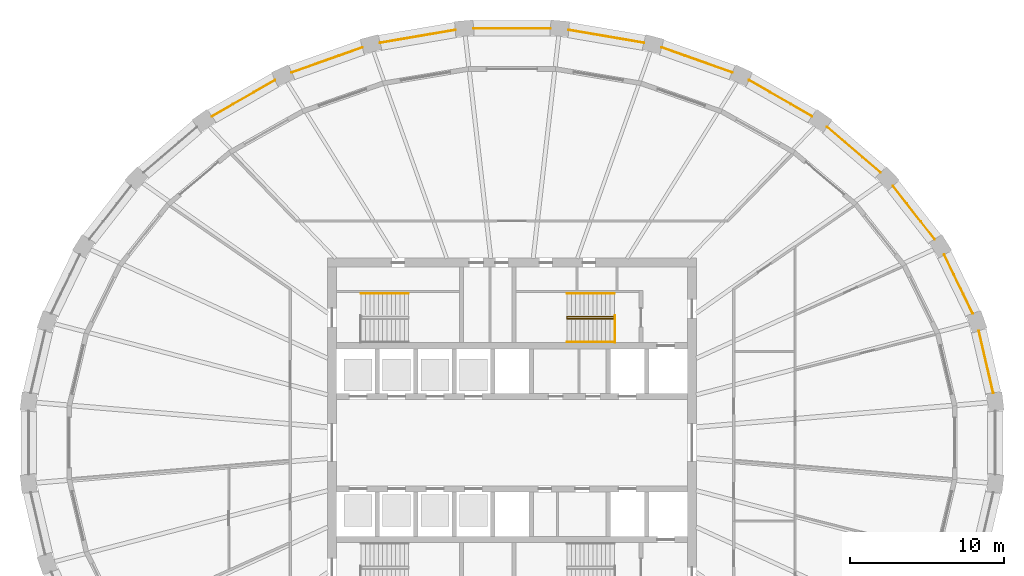
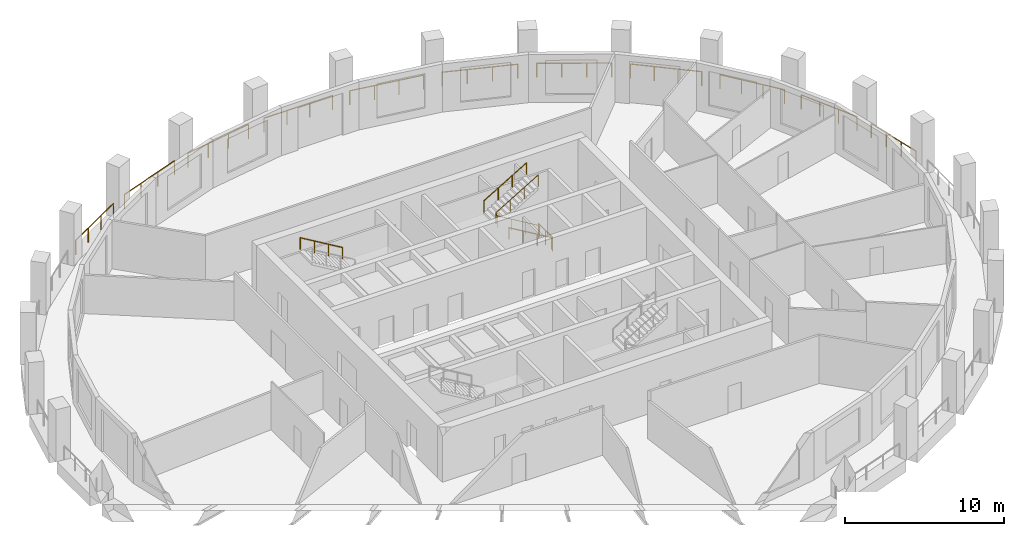
# One storey, part 10 of 11: 16 railings.
"""IFC4 building model written with IfcOpenShell, lengths in metres."""

from ifc_helpers import new_model, si_unit, direction, frame, origin, origin_2d, place, context, subcontext, project, spatial, circle, extrude, material, type_object, element, save


model = new_model("IFC4")

# Units and contexts
model_context = context("Model", 3, precision=1e-05, world=origin(), true_north=direction((0.0, 1.0)))
body_context = subcontext(model_context, "Body", "Model", "MODEL_VIEW")
ifc_project = project(units=[si_unit("LENGTHUNIT", "METRE"), si_unit("AREAUNIT", "SQUARE_METRE"), si_unit("VOLUMEUNIT", "CUBIC_METRE"), si_unit("PLANEANGLEUNIT", "RADIAN"), si_unit("MASSUNIT", "GRAM", prefix="KILO")], contexts=[model_context])

# Site, building, storey
site_placement = place(None, origin())
site = spatial("IfcSite", under=ifc_project, at=site_placement, CompositionType="ELEMENT")
building_placement = place(site_placement, origin())
building = spatial("IfcBuilding", under=site, at=building_placement, Name="Halqa Exchange Tower", CompositionType="ELEMENT")
storey_placement = place(building_placement, frame((0.0, 0.0, 230.89990234375)))
storey = spatial("IfcBuildingStorey", under=building, at=storey_placement, Name="L53", CompositionType="ELEMENT", Elevation=230.89990234375)

# Railings
ifc_material = material(Name="Stainless steel", Category="steel")
railing_type_1 = type_object("IfcRailingType", Name="Guard 1100 stainless steel", PredefinedType="GUARDRAIL", material=ifc_material)
railing_1_placement = place(storey_placement, frame((31.26513671875, 3.2353515625, 0.0)))
element("IfcRailing", 1, at=railing_1_placement, inside=storey, type_object=railing_type_1, Name="Loggia guard 1", PredefinedType="GUARDRAIL", context=body_context, shape_type="SweptSolid", body=[
    extrude(circle(Radius=0.02392578125, at=origin_2d()), frame((0.0, 0.0, 1.076171875), z_axis=(-0.226078724413, 0.974109034127, 0.0), x_axis=(-0.974109034127, -0.226078724413, 0.0)), (0.0, 0.0, 1.0), 4.13818359375),
    extrude(circle(Radius=0.02099609375, at=origin_2d()), origin(), (0.0, 0.0, 1.0), 1.052001953125),
    extrude(circle(Radius=0.02099609375, at=origin_2d()), frame((-0.311767578125, 1.34375, 0.0)), (0.0, 0.0, 1.0), 1.052001953125),
    extrude(circle(Radius=0.02099609375, at=origin_2d()), frame((-0.623779296875, 2.687255859375, 0.0)), (0.0, 0.0, 1.0), 1.052001953125),
    extrude(circle(Radius=0.02099609375, at=origin_2d()), frame((-0.935546875, 4.031005859375, 0.0)), (0.0, 0.0, 1.0), 1.052001953125),
])
railing_2_placement = place(storey_placement, frame((29.932861328125, 8.39111328125, 0.0)))
element("IfcRailing", 2, at=railing_2_placement, inside=storey, type_object=railing_type_1, Name="Loggia guard 2", PredefinedType="GUARDRAIL", context=body_context, shape_type="SweptSolid", body=[
    extrude(circle(Radius=0.02392578125, at=origin_2d()), frame((0.0, 0.0, 1.076171875), z_axis=(-0.435127430079, 0.900368879734, 0.0), x_axis=(-0.900368879734, -0.435127430079, 0.0)), (0.0, 0.0, 1.0), 4.239990234375),
    extrude(circle(Radius=0.02099609375, at=origin_2d()), origin(), (0.0, 0.0, 1.0), 1.052001953125),
    extrude(circle(Radius=0.02099609375, at=origin_2d()), frame((-0.614990234375, 1.2724609375, 0.0)), (0.0, 0.0, 1.0), 1.052001953125),
    extrude(circle(Radius=0.02099609375, at=origin_2d()), frame((-1.22998046875, 2.545166015625, 0.0)), (0.0, 0.0, 1.0), 1.052001953125),
    extrude(circle(Radius=0.02099609375, at=origin_2d()), frame((-1.844970703125, 3.817626953125, 0.0)), (0.0, 0.0, 1.0), 1.052001953125),
])
railing_3_placement = place(storey_placement, frame((27.4580078125, 13.22216796875, 0.0)))
element("IfcRailing", 3, at=railing_3_placement, inside=storey, type_object=railing_type_1, Name="Loggia guard 3", PredefinedType="GUARDRAIL", context=body_context, shape_type="SweptSolid", body=[
    extrude(circle(Radius=0.02392578125, at=origin_2d()), frame((0.0, 0.0, 1.076171875), z_axis=(-0.614775863942, 0.788701868334, 0.0), x_axis=(-0.788701868334, -0.614775863942, 0.0)), (0.0, 0.0, 1.0), 4.389404296875),
    extrude(circle(Radius=0.02099609375, at=origin_2d()), origin(), (0.0, 0.0, 1.0), 1.052001953125),
    extrude(circle(Radius=0.02099609375, at=origin_2d()), frame((-0.8994140625, 1.154052734375, 0.0)), (0.0, 0.0, 1.0), 1.052001953125),
    extrude(circle(Radius=0.02099609375, at=origin_2d()), frame((-1.799072265625, 2.307861328125, 0.0)), (0.0, 0.0, 1.0), 1.052001953125),
    extrude(circle(Radius=0.02099609375, at=origin_2d()), frame((-2.698486328125, 3.4619140625, 0.0)), (0.0, 0.0, 1.0), 1.052001953125),
])
railing_4_placement = place(storey_placement, frame((23.934814453125, 17.547607421875, 0.0)))
element("IfcRailing", 4, at=railing_4_placement, inside=storey, type_object=railing_type_1, Name="Loggia guard 4", PredefinedType="GUARDRAIL", context=body_context, shape_type="SweptSolid", body=[
    extrude(circle(Radius=0.02392578125, at=origin_2d()), frame((0.0, 0.0, 1.076171875), z_axis=(-0.759230149262, 0.65082223414, 0.0), x_axis=(-0.65082223414, -0.759230149262, 0.0)), (0.0, 0.0, 1.0), 4.560302734375),
    extrude(circle(Radius=0.02099609375, at=origin_2d()), origin(), (0.0, 0.0, 1.0), 1.052001953125),
    extrude(circle(Radius=0.02099609375, at=origin_2d()), frame((-1.154052734375, 0.9892578125, 0.0)), (0.0, 0.0, 1.0), 1.052001953125),
    extrude(circle(Radius=0.02099609375, at=origin_2d()), frame((-2.308349609375, 1.978759765625, 0.0)), (0.0, 0.0, 1.0), 1.052001953125),
    extrude(circle(Radius=0.02099609375, at=origin_2d()), frame((-3.46240234375, 2.968017578125, 0.0)), (0.0, 0.0, 1.0), 1.052001953125),
])
railing_5_placement = place(storey_placement, frame((19.49609375, 21.204345703125, 0.0)))
element("IfcRailing", 5, at=railing_5_placement, inside=storey, type_object=railing_type_1, Name="Loggia guard 5", PredefinedType="GUARDRAIL", context=body_context, shape_type="SweptSolid", body=[
    extrude(circle(Radius=0.02392578125, at=origin_2d()), frame((0.0, 0.0, 1.076171875), z_axis=(-0.867753217725, 0.496995325057, 0.0), x_axis=(-0.496995325057, -0.867753217725, 0.0)), (0.0, 0.0, 1.0), 4.7265625),
    extrude(circle(Radius=0.02099609375, at=origin_2d()), origin(), (0.0, 0.0, 1.0), 1.052001953125),
    extrude(circle(Radius=0.02099609375, at=origin_2d()), frame((-1.3671875, 0.782958984375, 0.0)), (0.0, 0.0, 1.0), 1.052001953125),
    extrude(circle(Radius=0.02099609375, at=origin_2d()), frame((-2.734375, 1.566162109375, 0.0)), (0.0, 0.0, 1.0), 1.052001953125),
    extrude(circle(Radius=0.02099609375, at=origin_2d()), frame((-4.1015625, 2.34912109375, 0.0)), (0.0, 0.0, 1.0), 1.052001953125),
])
railing_6_placement = place(storey_placement, frame((14.308349609375, 24.05224609375, 0.0)))
element("IfcRailing", 6, at=railing_6_placement, inside=storey, type_object=railing_type_1, Name="Loggia guard 6", PredefinedType="GUARDRAIL", context=body_context, shape_type="SweptSolid", body=[
    extrude(circle(Radius=0.02392578125, at=origin_2d()), frame((0.0, 0.0, 1.076171875), z_axis=(-0.94236598603, 0.334583843562, 0.0), x_axis=(-0.334583843562, -0.94236598603, 0.0)), (0.0, 0.0, 1.0), 4.864013671875),
    extrude(circle(Radius=0.02099609375, at=origin_2d()), origin(), (0.0, 0.0, 1.0), 1.052001953125),
    extrude(circle(Radius=0.02099609375, at=origin_2d()), frame((-1.52783203125, 0.54248046875, 0.0)), (0.0, 0.0, 1.0), 1.052001953125),
    extrude(circle(Radius=0.02099609375, at=origin_2d()), frame((-3.055908203125, 1.0849609375, 0.0)), (0.0, 0.0, 1.0), 1.052001953125),
    extrude(circle(Radius=0.02099609375, at=origin_2d()), frame((-4.583740234375, 1.62744140625, 0.0)), (0.0, 0.0, 1.0), 1.052001953125),
])
railing_7_placement = place(storey_placement, frame((8.567626953125, 25.9814453125, 0.0)))
element("IfcRailing", 7, at=railing_7_placement, inside=storey, type_object=railing_type_1, Name="Loggia guard 7", PredefinedType="GUARDRAIL", context=body_context, shape_type="SweptSolid", body=[
    extrude(circle(Radius=0.02392578125, at=origin_2d()), frame((0.0, 0.0, 1.076171875), z_axis=(-0.985778469169, 0.16805002149, 0.0), x_axis=(-0.16805002149, -0.985778469169, 0.0)), (0.0, 0.0, 1.0), 4.9541015625),
    extrude(circle(Radius=0.02099609375, at=origin_2d()), origin(), (0.0, 0.0, 1.0), 1.052001953125),
    extrude(circle(Radius=0.02099609375, at=origin_2d()), frame((-1.6279296875, 0.277587890625, 0.0)), (0.0, 0.0, 1.0), 1.052001953125),
    extrude(circle(Radius=0.02099609375, at=origin_2d()), frame((-3.255615234375, 0.554931640625, 0.0)), (0.0, 0.0, 1.0), 1.052001953125),
    extrude(circle(Radius=0.02099609375, at=origin_2d()), frame((-4.883544921875, 0.83251953125, 0.0)), (0.0, 0.0, 1.0), 1.052001953125),
])
railing_8_placement = place(storey_placement, frame((2.49267578125, 26.914794921875, 0.0)))
element("IfcRailing", 8, at=railing_8_placement, inside=storey, type_object=railing_type_1, Name="Loggia guard 8", PredefinedType="GUARDRAIL", context=body_context, shape_type="SweptSolid", body=[
    extrude(circle(Radius=0.02392578125, at=origin_2d()), frame((0.0, 0.0, 1.076171875), z_axis=(-1.0, 0.0, 0.0), x_axis=(0.0, -1.0, 0.0)), (0.0, 0.0, 1.0), 4.9853515625),
    extrude(circle(Radius=0.02099609375, at=origin_2d()), origin(), (0.0, 0.0, 1.0), 1.052001953125),
    extrude(circle(Radius=0.02099609375, at=origin_2d()), frame((-1.661865234375, 0.0, 0.0)), (0.0, 0.0, 1.0), 1.052001953125),
    extrude(circle(Radius=0.02099609375, at=origin_2d()), frame((-3.323486328125, 0.0, 0.0)), (0.0, 0.0, 1.0), 1.052001953125),
    extrude(circle(Radius=0.02099609375, at=origin_2d()), frame((-4.9853515625, 0.0, 0.0)), (0.0, 0.0, 1.0), 1.052001953125),
])
railing_9_placement = place(storey_placement, frame((-3.68408203125, 26.81396484375, 0.0)))
element("IfcRailing", 9, at=railing_9_placement, inside=storey, type_object=railing_type_1, Name="Loggia guard 9", PredefinedType="GUARDRAIL", context=body_context, shape_type="SweptSolid", body=[
    extrude(circle(Radius=0.02392578125, at=origin_2d()), frame((0.0, 0.0, 1.076171875), z_axis=(-0.985778469169, -0.16805002149, 0.0), x_axis=(0.16805002149, -0.985778469169, 0.0)), (0.0, 0.0, 1.0), 4.9541015625),
    extrude(circle(Radius=0.02099609375, at=origin_2d()), origin(), (0.0, 0.0, 1.0), 1.052001953125),
    extrude(circle(Radius=0.02099609375, at=origin_2d()), frame((-1.6279296875, -0.277587890625, 0.0)), (0.0, 0.0, 1.0), 1.052001953125),
    extrude(circle(Radius=0.02099609375, at=origin_2d()), frame((-3.255615234375, -0.554931640625, 0.0)), (0.0, 0.0, 1.0), 1.052001953125),
    extrude(circle(Radius=0.02099609375, at=origin_2d()), frame((-4.883544921875, -0.83251953125, 0.0)), (0.0, 0.0, 1.0), 1.052001953125),
])
railing_10_placement = place(storey_placement, frame((-9.724609375, 25.6796875, 0.0)))
element("IfcRailing", 10, at=railing_10_placement, inside=storey, type_object=railing_type_1, Name="Loggia guard 10", PredefinedType="GUARDRAIL", context=body_context, shape_type="SweptSolid", body=[
    extrude(circle(Radius=0.02392578125, at=origin_2d()), frame((0.0, 0.0, 1.076171875), z_axis=(-0.94236598603, -0.334583843562, 0.0), x_axis=(0.334583843562, -0.94236598603, 0.0)), (0.0, 0.0, 1.0), 4.864013671875),
    extrude(circle(Radius=0.02099609375, at=origin_2d()), origin(), (0.0, 0.0, 1.0), 1.052001953125),
    extrude(circle(Radius=0.02099609375, at=origin_2d()), frame((-1.52783203125, -0.54248046875, 0.0)), (0.0, 0.0, 1.0), 1.052001953125),
    extrude(circle(Radius=0.02099609375, at=origin_2d()), frame((-3.055908203125, -1.0849609375, 0.0)), (0.0, 0.0, 1.0), 1.052001953125),
    extrude(circle(Radius=0.02099609375, at=origin_2d()), frame((-4.583740234375, -1.62744140625, 0.0)), (0.0, 0.0, 1.0), 1.052001953125),
])
railing_11_placement = place(storey_placement, frame((-15.39453125, 23.553466796875, 0.0)))
element("IfcRailing", 11, at=railing_11_placement, inside=storey, type_object=railing_type_1, Name="Loggia guard 11", PredefinedType="GUARDRAIL", context=body_context, shape_type="SweptSolid", body=[
    extrude(circle(Radius=0.02392578125, at=origin_2d()), frame((0.0, 0.0, 1.076171875), z_axis=(-0.867753217725, -0.496995325057, 0.0), x_axis=(0.496995325057, -0.867753217725, 0.0)), (0.0, 0.0, 1.0), 4.7265625),
    extrude(circle(Radius=0.02099609375, at=origin_2d()), origin(), (0.0, 0.0, 1.0), 1.052001953125),
    extrude(circle(Radius=0.02099609375, at=origin_2d()), frame((-1.3671875, -0.782958984375, 0.0)), (0.0, 0.0, 1.0), 1.052001953125),
    extrude(circle(Radius=0.02099609375, at=origin_2d()), frame((-2.734375, -1.566162109375, 0.0)), (0.0, 0.0, 1.0), 1.052001953125),
    extrude(circle(Radius=0.02099609375, at=origin_2d()), frame((-4.1015625, -2.34912109375, 0.0)), (0.0, 0.0, 1.0), 1.052001953125),
])
railing_type_2 = type_object("IfcRailingType", Name="Stair handrail 900", PredefinedType="HANDRAIL", material=ifc_material)
railing_12_placement = place(storey_placement, frame((-6.719970703125, 9.699951171875, 2.166748046875)))
element("IfcRailing", 12, at=railing_12_placement, inside=storey, type_object=railing_type_2, Name="Handrail ST1.3", PredefinedType="HANDRAIL", context=body_context, shape_type="SweptSolid", body=[
    extrude(circle(Radius=0.02392578125, at=origin_2d()), frame((0.0, 0.0, 0.8759765625), z_axis=(-0.859308565015, 0.0, 0.511457515432), x_axis=(0.0, -1.0, 0.0)), (0.0, 0.0, 1.0), 3.58447265625),
    extrude(circle(Radius=0.02099609375, at=origin_2d()), origin(), (0.0, 0.0, 1.0), 0.851806640625),
    extrude(circle(Radius=0.02099609375, at=origin_2d()), frame((-1.026611328125, 0.0, 0.611083984375)), (0.0, 0.0, 1.0), 0.851806640625),
    extrude(circle(Radius=0.02099609375, at=origin_2d()), frame((-2.053466796875, 0.0, 1.22216796875)), (0.0, 0.0, 1.0), 0.851806640625),
    extrude(circle(Radius=0.02099609375, at=origin_2d()), frame((-3.080078125, 0.0, 1.833251953125)), (0.0, 0.0, 1.0), 0.851806640625),
])
railing_13_placement = place(storey_placement, frame((6.64990234375, 8.06005859375, 0.166748046875)))
element("IfcRailing", 13, at=railing_13_placement, inside=storey, type_object=railing_type_2, Name="Handrail ST2.1", PredefinedType="HANDRAIL", context=body_context, shape_type="SweptSolid", body=[
    extrude(circle(Radius=0.02392578125, at=origin_2d()), frame((0.0, 0.0, 0.8759765625), z_axis=(-0.859290745958, 0.0, 0.51148745235), x_axis=(0.0, -1.0, 0.0)), (0.0, 0.0, 1.0), 3.584228515625),
    extrude(circle(Radius=0.02392578125, at=origin_2d()), frame((-3.079833984375, 0.0, 2.708984375), z_axis=(0.0, 0.614500226555, 0.788916644243), x_axis=(-1.0, 0.0, 0.0)), (0.0, 0.0, 1.0), 0.21142578125),
    extrude(circle(Radius=0.02392578125, at=origin_2d()), frame((-3.079833984375, 0.1298828125, 2.8759765625), z_axis=(0.859290745958, 0.0, 0.51148745235), x_axis=(0.0, 1.0, 0.0)), (0.0, 0.0, 1.0), 3.584228515625),
    extrude(circle(Radius=0.02099609375, at=origin_2d()), origin(), (0.0, 0.0, 1.0), 0.851806640625),
    extrude(circle(Radius=0.02099609375, at=origin_2d()), frame((-1.026611328125, 0.0, 0.611083984375)), (0.0, 0.0, 1.0), 0.851806640625),
    extrude(circle(Radius=0.02099609375, at=origin_2d()), frame((-2.05322265625, 0.0, 1.22216796875)), (0.0, 0.0, 1.0), 0.851806640625),
    extrude(circle(Radius=0.02099609375, at=origin_2d()), frame((-3.079833984375, 0.0, 1.833251953125)), (0.0, 0.0, 1.0), 0.851806640625),
    extrude(circle(Radius=0.02099609375, at=origin_2d()), frame((-3.079833984375, 0.1298828125, 2.0)), (0.0, 0.0, 1.0), 0.851806640625),
    extrude(circle(Radius=0.02099609375, at=origin_2d()), frame((-2.05322265625, 0.1298828125, 2.611083984375)), (0.0, 0.0, 1.0), 0.851806640625),
    extrude(circle(Radius=0.02099609375, at=origin_2d()), frame((-1.026611328125, 0.1298828125, 3.22216796875)), (0.0, 0.0, 1.0), 0.851806640625),
    extrude(circle(Radius=0.02099609375, at=origin_2d()), frame((0.0, 0.1298828125, 3.833251953125)), (0.0, 0.0, 1.0), 0.851806640625),
])
railing_14_placement = place(storey_placement, frame((6.64990234375, 6.550048828125, 0.166748046875)))
element("IfcRailing", 14, at=railing_14_placement, inside=storey, type_object=railing_type_2, Name="Handrail ST2.2", PredefinedType="HANDRAIL", context=body_context, shape_type="SweptSolid", body=[
    extrude(circle(Radius=0.02392578125, at=origin_2d()), frame((0.0, 0.0, 0.8759765625), z_axis=(-0.859290745958, 0.0, 0.51148745235), x_axis=(0.0, -1.0, 0.0)), (0.0, 0.0, 1.0), 3.584228515625),
    extrude(circle(Radius=0.02099609375, at=origin_2d()), origin(), (0.0, 0.0, 1.0), 0.851806640625),
    extrude(circle(Radius=0.02099609375, at=origin_2d()), frame((-1.026611328125, 0.0, 0.611083984375)), (0.0, 0.0, 1.0), 0.851806640625),
    extrude(circle(Radius=0.02099609375, at=origin_2d()), frame((-2.05322265625, 0.0, 1.22216796875)), (0.0, 0.0, 1.0), 0.851806640625),
    extrude(circle(Radius=0.02099609375, at=origin_2d()), frame((-3.079833984375, 0.0, 1.833251953125)), (0.0, 0.0, 1.0), 0.851806640625),
])
railing_15_placement = place(storey_placement, frame((3.570068359375, 9.699951171875, 2.166748046875)))
element("IfcRailing", 15, at=railing_15_placement, inside=storey, type_object=railing_type_2, Name="Handrail ST2.3", PredefinedType="HANDRAIL", context=body_context, shape_type="SweptSolid", body=[
    extrude(circle(Radius=0.02392578125, at=origin_2d()), frame((0.0, 0.0, 0.8759765625), z_axis=(0.859290745958, 0.0, 0.51148745235), x_axis=(0.0, 1.0, 0.0)), (0.0, 0.0, 1.0), 3.584228515625),
    extrude(circle(Radius=0.02099609375, at=origin_2d()), origin(), (0.0, 0.0, 1.0), 0.851806640625),
    extrude(circle(Radius=0.02099609375, at=origin_2d()), frame((1.026611328125, 0.0, 0.611083984375)), (0.0, 0.0, 1.0), 0.851806640625),
    extrude(circle(Radius=0.02099609375, at=origin_2d()), frame((2.05322265625, 0.0, 1.22216796875)), (0.0, 0.0, 1.0), 0.851806640625),
    extrude(circle(Radius=0.02099609375, at=origin_2d()), frame((3.079833984375, 0.0, 1.833251953125)), (0.0, 0.0, 1.0), 0.851806640625),
])
railing_type_3 = type_object("IfcRailingType", Name="Stair well guard 1100", PredefinedType="GUARDRAIL", material=ifc_material)
railing_16_placement = place(storey_placement, frame((6.699951171875, 6.5, 0.0)))
element("IfcRailing", 16, at=railing_16_placement, inside=storey, type_object=railing_type_3, Name="Guard ST2 well", PredefinedType="GUARDRAIL", context=body_context, shape_type="SweptSolid", body=[
    extrude(circle(Radius=0.02392578125, at=origin_2d()), frame((0.0, 0.0, 1.076171875), z_axis=(0.0, 1.0, 0.0), x_axis=(-1.0, 0.0, 0.0)), (0.0, 0.0, 1.0), 1.75),
    extrude(circle(Radius=0.02099609375, at=origin_2d()), origin(), (0.0, 0.0, 1.0), 1.052001953125),
    extrude(circle(Radius=0.02099609375, at=origin_2d()), frame((0.0, 0.875, 0.0)), (0.0, 0.0, 1.0), 1.052001953125),
    extrude(circle(Radius=0.02099609375, at=origin_2d()), frame((0.0, 1.75, 0.0)), (0.0, 0.0, 1.0), 1.052001953125),
])

save(model, "model.ifc")
